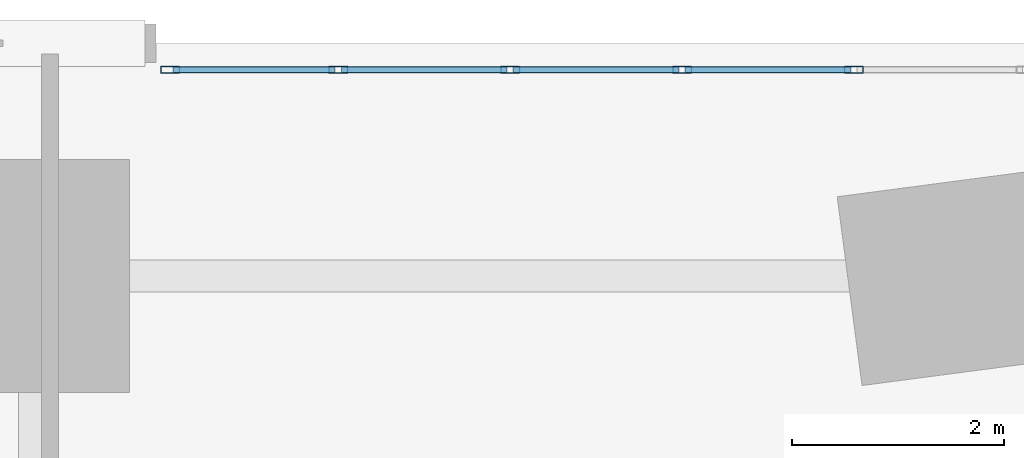
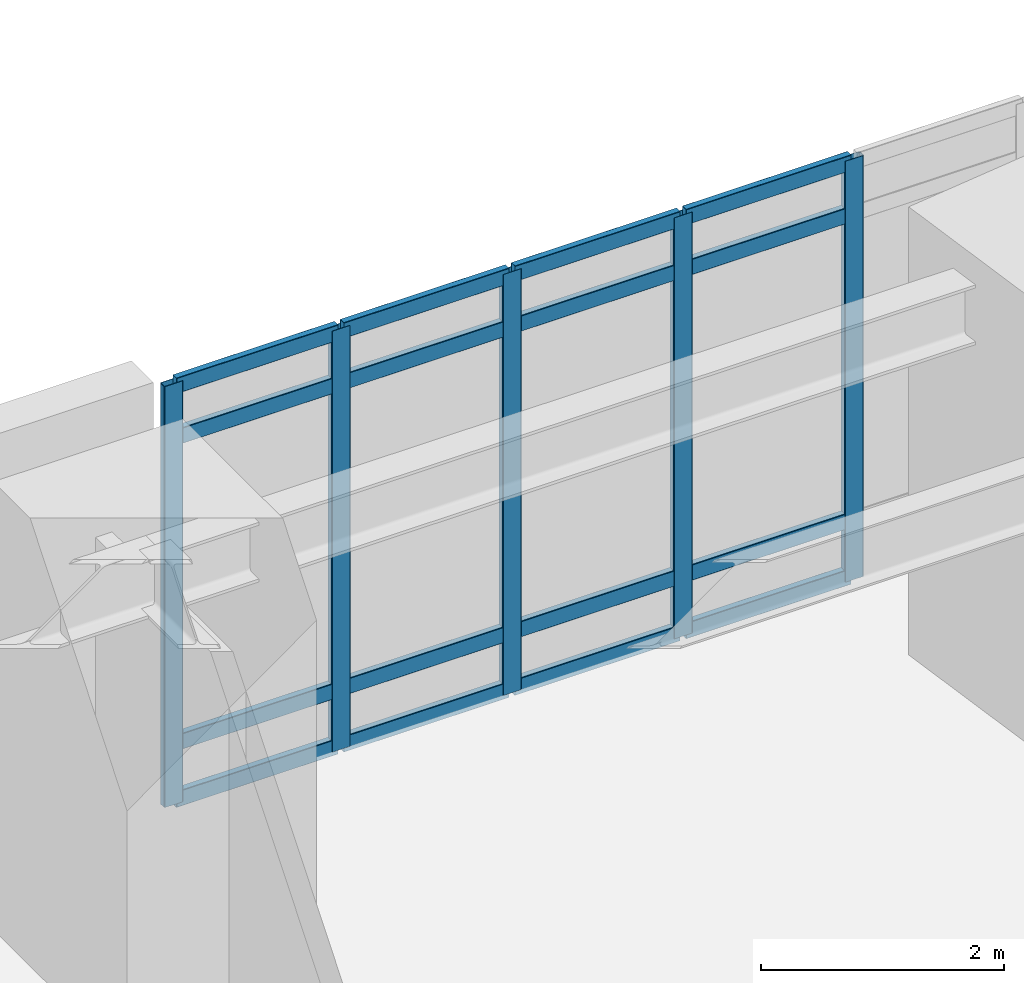
# One storey, part 8 of 19: 21 members, 1 element without a shape of its own.
"""IFC4 building model written with IfcOpenShell, lengths in metres."""

from ifc_helpers import new_model, si_unit, direction, frame, origin, origin_2d, place, context, subcontext, project, spatial, hollow_rectangle, extrude, material, layer, layer_set, material_profile, profile_set, type_object, element, aggregate, save


model = new_model("IFC4")

# Units and contexts
model_context = context("Model", 3, precision=1e-05, world=origin(), true_north=direction((0.0, 1.0)))
body_context = subcontext(model_context, "Body", "Model", "MODEL_VIEW")
ifc_project = project(units=[si_unit("LENGTHUNIT", "METRE"), si_unit("AREAUNIT", "SQUARE_METRE"), si_unit("VOLUMEUNIT", "CUBIC_METRE"), si_unit("PLANEANGLEUNIT", "RADIAN"), si_unit("MASSUNIT", "GRAM", prefix="KILO")], contexts=[model_context])

# Site, building, storey
site_placement = place(None, origin())
site = spatial("IfcSite", under=ifc_project, at=site_placement, CompositionType="ELEMENT")
building_placement = place(site_placement, origin())
building = spatial("IfcBuilding", under=site, at=building_placement, Name="Ndelora Gate Hotel", CompositionType="ELEMENT")
storey_placement = place(building_placement, frame((0.0, 0.0, 21.5)))
storey = spatial("IfcBuildingStorey", under=building, at=storey_placement, Name="L04", CompositionType="ELEMENT", Elevation=21.5)

# Curtain wall, members
ifc_material_1 = material(Name="Bronze Anodised Unitised Aluminium and Low-E Glass", Category="aluminium")
ifc_layer = layer(ifc_material_1, 0.219970703125)
ifc_layer_set = layer_set([ifc_layer], Name="Bronze Anodised Unitised Aluminium and Low-E Glass")
curtain_wall_type = type_object("IfcCurtainWallType", Name="CW-SYS-2", PredefinedType="NOTDEFINED", material=ifc_layer_set)
curtain_wall_placement = place(storey_placement, origin())
curtain_wall = element("IfcCurtainWall", 1, at=curtain_wall_placement, inside=storey, type_object=curtain_wall_type, Name="L04 North Banquet Pre-Function Curtain Wall CW2", PredefinedType="NOTDEFINED")
ifc_material_2 = material(Name="Bronze Anodised Aluminium 6063-T6", Category="aluminium")
ifc_material_profile_1 = material_profile(ifc_material_2, hollow_rectangle(XDim=0.070068359375, YDim=0.179931640625, WallThickness=0.0048828125, InnerFilletRadius=0.0048828125, OuterFilletRadius=0.010009765625, at=origin_2d()), Name="ALU 180x70x5")
ifc_profile_set_1 = profile_set([ifc_material_profile_1], Name="Bronze Anodised Aluminium 6063-T6")
member_type_1 = type_object("IfcMemberType", Name="MB-CW-MUL180", PredefinedType="MULLION", material=ifc_profile_set_1)
member_1_placement = place(storey_placement, frame((-3.25, 20.75, -0.00390625), z_axis=(0.0, 0.0, 1.0), x_axis=(0.0, -1.0, 0.0)))
member_1 = element("IfcMember", 2, at=member_1_placement, type_object=member_type_1, Name="CW2 mullion 9", PredefinedType="MULLION", context=body_context, shape_type="SweptSolid", body=[
    extrude(hollow_rectangle(XDim=0.070068359375, YDim=0.179931640625, WallThickness=0.0048828125, InnerFilletRadius=0.0048828125, OuterFilletRadius=0.010009765625, at=origin_2d()), origin(), (0.0, 0.0, 1.0), 4.22802734375),
])
member_2_placement = place(storey_placement, frame((-4.875, 20.75, -0.00390625), z_axis=(0.0, 0.0, 1.0), x_axis=(0.0, -1.0, 0.0)))
member_2 = element("IfcMember", 3, at=member_2_placement, type_object=member_type_1, Name="CW2 mullion 10", PredefinedType="MULLION", context=body_context, shape_type="SweptSolid", body=[
    extrude(hollow_rectangle(XDim=0.070068359375, YDim=0.179931640625, WallThickness=0.0048828125, InnerFilletRadius=0.0048828125, OuterFilletRadius=0.010009765625, at=origin_2d()), origin(), (0.0, 0.0, 1.0), 4.22802734375),
])
member_3_placement = place(storey_placement, frame((-6.5, 20.75, -0.00390625), z_axis=(0.0, 0.0, 1.0), x_axis=(0.0, -1.0, 0.0)))
member_3 = element("IfcMember", 4, at=member_3_placement, type_object=member_type_1, Name="CW2 mullion 11", PredefinedType="MULLION", context=body_context, shape_type="SweptSolid", body=[
    extrude(hollow_rectangle(XDim=0.070068359375, YDim=0.179931640625, WallThickness=0.0048828125, InnerFilletRadius=0.0048828125, OuterFilletRadius=0.010009765625, at=origin_2d()), origin(), (0.0, 0.0, 1.0), 4.22802734375),
])
member_4_placement = place(storey_placement, frame((-8.125, 20.75, -0.00390625), z_axis=(0.0, 0.0, 1.0), x_axis=(0.0, -1.0, 0.0)))
member_4 = element("IfcMember", 5, at=member_4_placement, type_object=member_type_1, Name="CW2 mullion 12", PredefinedType="MULLION", context=body_context, shape_type="SweptSolid", body=[
    extrude(hollow_rectangle(XDim=0.070068359375, YDim=0.179931640625, WallThickness=0.0048828125, InnerFilletRadius=0.0048828125, OuterFilletRadius=0.010009765625, at=origin_2d()), origin(), (0.0, 0.0, 1.0), 4.22802734375),
])
member_5_placement = place(storey_placement, frame((-9.715087890625, 20.75, -0.00390625), z_axis=(0.0, 0.0, 1.0), x_axis=(0.0, -1.0, 0.0)))
member_5 = element("IfcMember", 6, at=member_5_placement, type_object=member_type_1, Name="CW2 mullion 13", PredefinedType="MULLION", context=body_context, shape_type="SweptSolid", body=[
    extrude(hollow_rectangle(XDim=0.070068359375, YDim=0.179931640625, WallThickness=0.0048828125, InnerFilletRadius=0.0048828125, OuterFilletRadius=0.010009765625, at=origin_2d()), origin(), (0.0, 0.0, 1.0), 4.22802734375),
])
ifc_material_profile_2 = material_profile(ifc_material_2, hollow_rectangle(XDim=0.06494140625, YDim=0.159912109375, WallThickness=0.00390625, InnerFilletRadius=0.00390625, OuterFilletRadius=0.008056640625, at=origin_2d()), Name="ALU 160x65x4")
ifc_profile_set_2 = profile_set([ifc_material_profile_2], Name="Bronze Anodised Aluminium 6063-T6")
member_type_2 = type_object("IfcMemberType", Name="MB-CW-TRN150", PredefinedType="USERDEFINED", material=ifc_profile_set_2)
member_6_placement = place(storey_placement, frame((-3.279052734375, 20.75, 0.032470703125), z_axis=(-1.0, 0.0, 0.0), x_axis=(0.0, -1.0, 0.0)))
member_6 = element("IfcMember", 7, at=member_6_placement, type_object=member_type_2, Name="CW2 transom 9.1", ObjectType="TRANSOM", PredefinedType="USERDEFINED", context=body_context, shape_type="SweptSolid", body=[
    extrude(hollow_rectangle(XDim=0.06494140625, YDim=0.159912109375, WallThickness=0.00390625, InnerFilletRadius=0.00390625, OuterFilletRadius=0.008056640625, at=origin_2d()), origin(), (0.0, 0.0, 1.0), 1.56689453125),
])
member_7_placement = place(storey_placement, frame((-3.279052734375, 20.75, 0.60009765625), z_axis=(-1.0, 0.0, 0.0), x_axis=(0.0, -1.0, 0.0)))
member_7 = element("IfcMember", 8, at=member_7_placement, type_object=member_type_2, Name="CW2 transom 9.2", ObjectType="TRANSOM", PredefinedType="USERDEFINED", context=body_context, shape_type="SweptSolid", body=[
    extrude(hollow_rectangle(XDim=0.06494140625, YDim=0.159912109375, WallThickness=0.00390625, InnerFilletRadius=0.00390625, OuterFilletRadius=0.008056640625, at=origin_2d()), origin(), (0.0, 0.0, 1.0), 1.56689453125),
])
member_8_placement = place(storey_placement, frame((-3.279052734375, 20.75, 3.669921875), z_axis=(-1.0, 0.0, 0.0), x_axis=(0.0, -1.0, 0.0)))
member_8 = element("IfcMember", 9, at=member_8_placement, type_object=member_type_2, Name="CW2 transom 9.3", ObjectType="TRANSOM", PredefinedType="USERDEFINED", context=body_context, shape_type="SweptSolid", body=[
    extrude(hollow_rectangle(XDim=0.06494140625, YDim=0.159912109375, WallThickness=0.00390625, InnerFilletRadius=0.00390625, OuterFilletRadius=0.008056640625, at=origin_2d()), origin(), (0.0, 0.0, 1.0), 1.56689453125),
])
member_9_placement = place(storey_placement, frame((-3.279052734375, 20.75, 4.1875), z_axis=(-1.0, 0.0, 0.0), x_axis=(0.0, -1.0, 0.0)))
member_9 = element("IfcMember", 10, at=member_9_placement, type_object=member_type_2, Name="CW2 transom 9.4", ObjectType="TRANSOM", PredefinedType="USERDEFINED", context=body_context, shape_type="SweptSolid", body=[
    extrude(hollow_rectangle(XDim=0.06494140625, YDim=0.159912109375, WallThickness=0.00390625, InnerFilletRadius=0.00390625, OuterFilletRadius=0.008056640625, at=origin_2d()), origin(), (0.0, 0.0, 1.0), 1.56689453125),
])
member_10_placement = place(storey_placement, frame((-4.904052734375, 20.75, 0.032470703125), z_axis=(-1.0, 0.0, 0.0), x_axis=(0.0, -1.0, 0.0)))
member_10 = element("IfcMember", 11, at=member_10_placement, type_object=member_type_2, Name="CW2 transom 10.1", ObjectType="TRANSOM", PredefinedType="USERDEFINED", context=body_context, shape_type="SweptSolid", body=[
    extrude(hollow_rectangle(XDim=0.06494140625, YDim=0.159912109375, WallThickness=0.00390625, InnerFilletRadius=0.00390625, OuterFilletRadius=0.008056640625, at=origin_2d()), origin(), (0.0, 0.0, 1.0), 1.56689453125),
])
member_11_placement = place(storey_placement, frame((-4.904052734375, 20.75, 0.60009765625), z_axis=(-1.0, 0.0, 0.0), x_axis=(0.0, -1.0, 0.0)))
member_11 = element("IfcMember", 12, at=member_11_placement, type_object=member_type_2, Name="CW2 transom 10.2", ObjectType="TRANSOM", PredefinedType="USERDEFINED", context=body_context, shape_type="SweptSolid", body=[
    extrude(hollow_rectangle(XDim=0.06494140625, YDim=0.159912109375, WallThickness=0.00390625, InnerFilletRadius=0.00390625, OuterFilletRadius=0.008056640625, at=origin_2d()), origin(), (0.0, 0.0, 1.0), 1.56689453125),
])
member_12_placement = place(storey_placement, frame((-4.904052734375, 20.75, 3.669921875), z_axis=(-1.0, 0.0, 0.0), x_axis=(0.0, -1.0, 0.0)))
member_12 = element("IfcMember", 13, at=member_12_placement, type_object=member_type_2, Name="CW2 transom 10.3", ObjectType="TRANSOM", PredefinedType="USERDEFINED", context=body_context, shape_type="SweptSolid", body=[
    extrude(hollow_rectangle(XDim=0.06494140625, YDim=0.159912109375, WallThickness=0.00390625, InnerFilletRadius=0.00390625, OuterFilletRadius=0.008056640625, at=origin_2d()), origin(), (0.0, 0.0, 1.0), 1.56689453125),
])
member_13_placement = place(storey_placement, frame((-4.904052734375, 20.75, 4.1875), z_axis=(-1.0, 0.0, 0.0), x_axis=(0.0, -1.0, 0.0)))
member_13 = element("IfcMember", 14, at=member_13_placement, type_object=member_type_2, Name="CW2 transom 10.4", ObjectType="TRANSOM", PredefinedType="USERDEFINED", context=body_context, shape_type="SweptSolid", body=[
    extrude(hollow_rectangle(XDim=0.06494140625, YDim=0.159912109375, WallThickness=0.00390625, InnerFilletRadius=0.00390625, OuterFilletRadius=0.008056640625, at=origin_2d()), origin(), (0.0, 0.0, 1.0), 1.56689453125),
])
member_14_placement = place(storey_placement, frame((-6.529052734375, 20.75, 0.032470703125), z_axis=(-1.0, 0.0, 0.0), x_axis=(0.0, -1.0, 0.0)))
member_14 = element("IfcMember", 15, at=member_14_placement, type_object=member_type_2, Name="CW2 transom 11.1", ObjectType="TRANSOM", PredefinedType="USERDEFINED", context=body_context, shape_type="SweptSolid", body=[
    extrude(hollow_rectangle(XDim=0.06494140625, YDim=0.159912109375, WallThickness=0.00390625, InnerFilletRadius=0.00390625, OuterFilletRadius=0.008056640625, at=origin_2d()), origin(), (0.0, 0.0, 1.0), 1.56689453125),
])
member_15_placement = place(storey_placement, frame((-6.529052734375, 20.75, 0.60009765625), z_axis=(-1.0, 0.0, 0.0), x_axis=(0.0, -1.0, 0.0)))
member_15 = element("IfcMember", 16, at=member_15_placement, type_object=member_type_2, Name="CW2 transom 11.2", ObjectType="TRANSOM", PredefinedType="USERDEFINED", context=body_context, shape_type="SweptSolid", body=[
    extrude(hollow_rectangle(XDim=0.06494140625, YDim=0.159912109375, WallThickness=0.00390625, InnerFilletRadius=0.00390625, OuterFilletRadius=0.008056640625, at=origin_2d()), origin(), (0.0, 0.0, 1.0), 1.56689453125),
])
member_16_placement = place(storey_placement, frame((-6.529052734375, 20.75, 3.669921875), z_axis=(-1.0, 0.0, 0.0), x_axis=(0.0, -1.0, 0.0)))
member_16 = element("IfcMember", 17, at=member_16_placement, type_object=member_type_2, Name="CW2 transom 11.3", ObjectType="TRANSOM", PredefinedType="USERDEFINED", context=body_context, shape_type="SweptSolid", body=[
    extrude(hollow_rectangle(XDim=0.06494140625, YDim=0.159912109375, WallThickness=0.00390625, InnerFilletRadius=0.00390625, OuterFilletRadius=0.008056640625, at=origin_2d()), origin(), (0.0, 0.0, 1.0), 1.56689453125),
])
member_17_placement = place(storey_placement, frame((-6.529052734375, 20.75, 4.1875), z_axis=(-1.0, 0.0, 0.0), x_axis=(0.0, -1.0, 0.0)))
member_17 = element("IfcMember", 18, at=member_17_placement, type_object=member_type_2, Name="CW2 transom 11.4", ObjectType="TRANSOM", PredefinedType="USERDEFINED", context=body_context, shape_type="SweptSolid", body=[
    extrude(hollow_rectangle(XDim=0.06494140625, YDim=0.159912109375, WallThickness=0.00390625, InnerFilletRadius=0.00390625, OuterFilletRadius=0.008056640625, at=origin_2d()), origin(), (0.0, 0.0, 1.0), 1.56689453125),
])
member_18_placement = place(storey_placement, frame((-8.154052734375, 20.75, 0.032470703125), z_axis=(-1.0, 0.0, 0.0), x_axis=(0.0, -1.0, 0.0)))
member_18 = element("IfcMember", 19, at=member_18_placement, type_object=member_type_2, Name="CW2 transom 12.1", ObjectType="TRANSOM", PredefinedType="USERDEFINED", context=body_context, shape_type="SweptSolid", body=[
    extrude(hollow_rectangle(XDim=0.06494140625, YDim=0.159912109375, WallThickness=0.00390625, InnerFilletRadius=0.00390625, OuterFilletRadius=0.008056640625, at=origin_2d()), origin(), (0.0, 0.0, 1.0), 1.531982421875),
])
member_19_placement = place(storey_placement, frame((-8.154052734375, 20.75, 0.60009765625), z_axis=(-1.0, 0.0, 0.0), x_axis=(0.0, -1.0, 0.0)))
member_19 = element("IfcMember", 20, at=member_19_placement, type_object=member_type_2, Name="CW2 transom 12.2", ObjectType="TRANSOM", PredefinedType="USERDEFINED", context=body_context, shape_type="SweptSolid", body=[
    extrude(hollow_rectangle(XDim=0.06494140625, YDim=0.159912109375, WallThickness=0.00390625, InnerFilletRadius=0.00390625, OuterFilletRadius=0.008056640625, at=origin_2d()), origin(), (0.0, 0.0, 1.0), 1.531982421875),
])
member_20_placement = place(storey_placement, frame((-8.154052734375, 20.75, 3.669921875), z_axis=(-1.0, 0.0, 0.0), x_axis=(0.0, -1.0, 0.0)))
member_20 = element("IfcMember", 21, at=member_20_placement, type_object=member_type_2, Name="CW2 transom 12.3", ObjectType="TRANSOM", PredefinedType="USERDEFINED", context=body_context, shape_type="SweptSolid", body=[
    extrude(hollow_rectangle(XDim=0.06494140625, YDim=0.159912109375, WallThickness=0.00390625, InnerFilletRadius=0.00390625, OuterFilletRadius=0.008056640625, at=origin_2d()), origin(), (0.0, 0.0, 1.0), 1.531982421875),
])
member_21_placement = place(storey_placement, frame((-8.154052734375, 20.75, 4.1875), z_axis=(-1.0, 0.0, 0.0), x_axis=(0.0, -1.0, 0.0)))
member_21 = element("IfcMember", 22, at=member_21_placement, type_object=member_type_2, Name="CW2 transom 12.4", ObjectType="TRANSOM", PredefinedType="USERDEFINED", context=body_context, shape_type="SweptSolid", body=[
    extrude(hollow_rectangle(XDim=0.06494140625, YDim=0.159912109375, WallThickness=0.00390625, InnerFilletRadius=0.00390625, OuterFilletRadius=0.008056640625, at=origin_2d()), origin(), (0.0, 0.0, 1.0), 1.531982421875),
])
aggregate(curtain_wall, [member_1, member_2, member_3, member_4, member_5, member_6, member_7, member_8, member_9, member_10, member_11, member_12, member_13, member_14, member_15, member_16, member_17, member_18, member_19, member_20, member_21])

save(model, "model.ifc")
